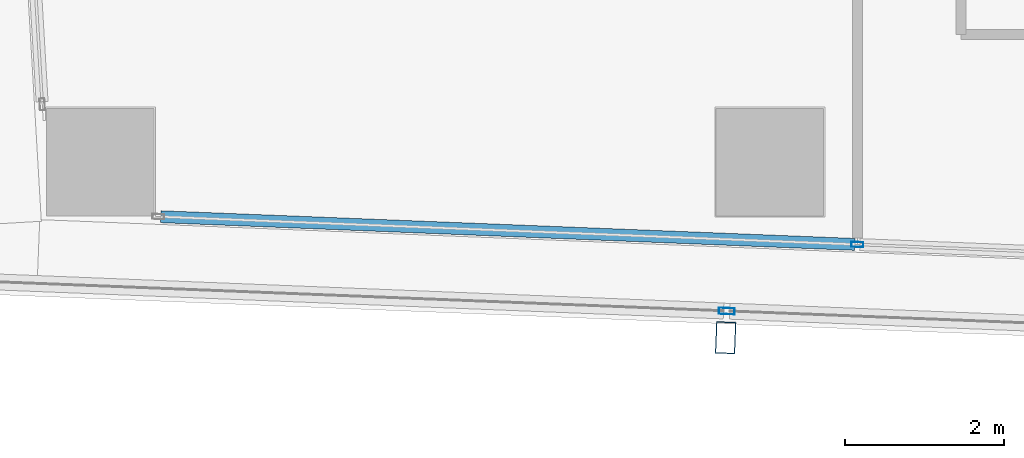
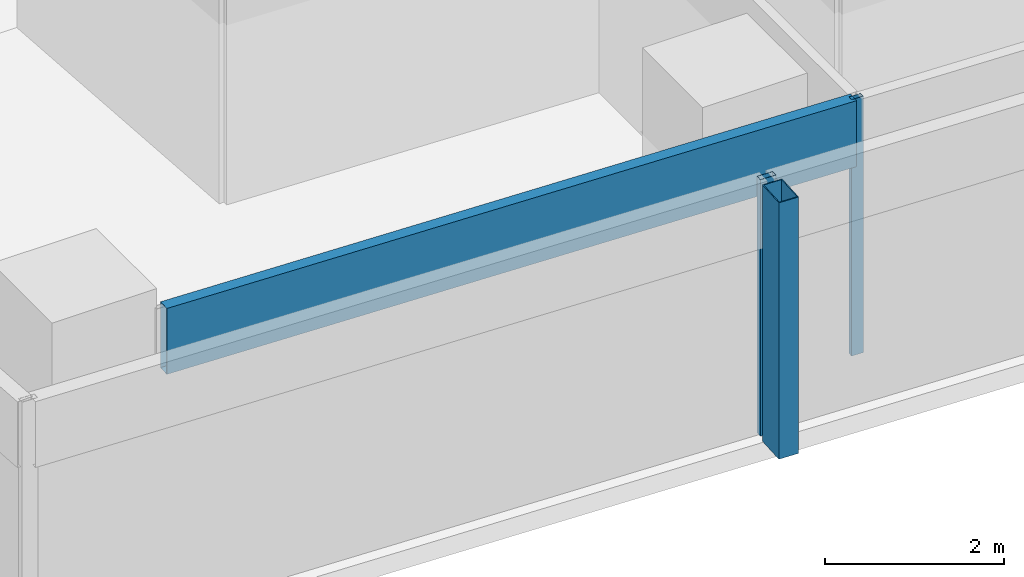
# One storey, part 3 of 40: 4 members, 2 elements without a shape of their own.
"""IFC4 building model written with IfcOpenShell, lengths in metres."""

from ifc_helpers import new_model, si_unit, direction, frame, origin, origin_2d, place, context, subcontext, project, spatial, hollow_rectangle, extrude, material, material_profile, profile_set, type_object, element, aggregate, save


model = new_model("IFC4")

# Units and contexts
model_context = context("Model", 3, precision=1e-05, world=origin(), true_north=direction((0.0, 1.0)))
body_context = subcontext(model_context, "Body", "Model", "MODEL_VIEW")
ifc_project = project(units=[si_unit("LENGTHUNIT", "METRE"), si_unit("AREAUNIT", "SQUARE_METRE"), si_unit("VOLUMEUNIT", "CUBIC_METRE"), si_unit("PLANEANGLEUNIT", "RADIAN"), si_unit("MASSUNIT", "GRAM", prefix="KILO")], contexts=[model_context])

# Site, building, storey
site_placement = place(None, origin())
site = spatial("IfcSite", under=ifc_project, at=site_placement, CompositionType="ELEMENT")
building_placement = place(site_placement, origin())
building = spatial("IfcBuilding", under=site, at=building_placement, Name="Rekha Terrace Tower", CompositionType="ELEMENT")
storey_placement = place(building_placement, frame((0.0, 0.0, 213.949951171875)))
storey = spatial("IfcBuildingStorey", under=building, at=storey_placement, Name="L54", CompositionType="ELEMENT", Elevation=213.949951171875)

# Curtain wall, member
ifc_material_1 = material(Name="Aluminium framing", Category="aluminium")
curtain_wall_type_1 = type_object("IfcCurtainWallType", Name="CW2 double skin outer glazing", PredefinedType="USERDEFINED", material=ifc_material_1)
curtain_wall_1_placement = place(storey_placement, origin())
curtain_wall_1 = element("IfcCurtainWall", 1, at=curtain_wall_1_placement, inside=storey, type_object=curtain_wall_type_1, Name="CW2 double skin outer glazing", ObjectType="DOUBLE SKIN OUTER GLAZING", PredefinedType="USERDEFINED")
ifc_material_2 = material(Name="Steel S355 with fluorocarbon finish", Category="steel")
ifc_material_profile_1 = material_profile(ifc_material_2, hollow_rectangle(XDim=0.25, YDim=0.39990234375, WallThickness=0.012451171875, at=origin_2d()), Name="RHS400x250x12.5")
ifc_profile_set_1 = profile_set([ifc_material_profile_1], Name="Steel S355 with fluorocarbon finish")
member_type_1 = type_object("IfcMemberType", Name="BL1 facade blade RHS 400 x 250", PredefinedType="USERDEFINED", material=ifc_profile_set_1)
member_1_placement = place(storey_placement, frame((16.24658203125, 14.595947265625, 0.0), z_axis=(0.0, 0.0, 1.0), x_axis=(0.999204797763, -0.039871946621, 0.0)))
member_1 = element("IfcMember", 2, at=member_1_placement, type_object=member_type_1, Name="Facade blade", ObjectType="FACADE BLADE", PredefinedType="USERDEFINED", context=body_context, shape_type="SweptSolid", body=[
    extrude(hollow_rectangle(XDim=0.25, YDim=0.39990234375, WallThickness=0.012451171875, at=origin_2d()), origin(), (0.0, 0.0, 1.0), 3.5),
])

# Curtain wall, members
curtain_wall_type_2 = type_object("IfcCurtainWallType", Name="CW1 double skin inner glazing", PredefinedType="USERDEFINED", material=ifc_material_1)
curtain_wall_2_placement = place(storey_placement, origin())
curtain_wall_2 = element("IfcCurtainWall", 3, at=curtain_wall_2_placement, inside=storey, type_object=curtain_wall_type_2, Name="CW1 double skin inner glazing", ObjectType="DOUBLE SKIN INNER GLAZING", PredefinedType="USERDEFINED")
ifc_material_3 = material(Name="Aluminium mullion section", Category="aluminium")
ifc_material_profile_2 = material_profile(ifc_material_3, hollow_rectangle(XDim=0.06494140625, YDim=0.14990234375, WallThickness=0.00390625, at=origin_2d()), Name="AL RHS 65x150")
ifc_profile_set_2 = profile_set([ifc_material_profile_2], Name="Aluminium mullion section")
member_type_2 = type_object("IfcMemberType", Name="CW1 mullion RHS 65 x 150", PredefinedType="MULLION", material=ifc_profile_set_2)
member_2_placement = place(storey_placement, frame((17.89892578125, 15.765869140625, 0.0), z_axis=(0.0, 0.0, 1.0), x_axis=(0.039872497061, 0.999204775798, 0.0)))
member_2 = element("IfcMember", 4, at=member_2_placement, type_object=member_type_2, Name="CW1 mullion 2", PredefinedType="MULLION", context=body_context, shape_type="SweptSolid", body=[
    extrude(hollow_rectangle(XDim=0.06494140625, YDim=0.14990234375, WallThickness=0.00390625, at=origin_2d()), origin(), (0.0, 0.0, 1.0), 3.5),
])
ifc_material_4 = material(Name="Insulated aluminium spandrel box", Category="aluminium")
ifc_material_profile_3 = material_profile(ifc_material_4, hollow_rectangle(XDim=0.14990234375, YDim=0.89990234375, WallThickness=0.0029296875, at=origin_2d()), Name="AL SPANDREL BOX 150x900")
ifc_profile_set_3 = profile_set([ifc_material_profile_3], Name="Insulated aluminium spandrel box")
member_type_3 = type_object("IfcMemberType", Name="CW1 spandrel transom 150 x 900", PredefinedType="USERDEFINED", material=ifc_profile_set_3)
member_3_placement = place(storey_placement, frame((9.15966796875, 16.11474609375, 3.050048828125), z_axis=(0.999204892499, -0.039869572443, 0.0), x_axis=(0.039869572443, 0.999204892499, 0.0)))
member_3 = element("IfcMember", 5, at=member_3_placement, type_object=member_type_3, Name="CW1 spandrel transom 1", ObjectType="TRANSOM", PredefinedType="USERDEFINED", context=body_context, shape_type="SweptSolid", body=[
    extrude(hollow_rectangle(XDim=0.14990234375, YDim=0.89990234375, WallThickness=0.0029296875, at=origin_2d()), origin(), (0.0, 0.0, 1.0), 8.713623046875),
])
aggregate(curtain_wall_2, [member_2, member_3])

# Member
ifc_material_profile_4 = material_profile(ifc_material_3, hollow_rectangle(XDim=0.080078125, YDim=0.199951171875, WallThickness=0.00390625, at=origin_2d()), Name="AL RHS 80x200")
ifc_profile_set_4 = profile_set([ifc_material_profile_4], Name="Aluminium mullion section")
member_type_4 = type_object("IfcMemberType", Name="CW2 mullion RHS 80 x 200", PredefinedType="MULLION", material=ifc_profile_set_4)
member_4_placement = place(storey_placement, frame((16.259765625, 14.9306640625, 0.0), z_axis=(0.0, 0.0, 1.0), x_axis=(0.039872497044, 0.999204775799, 0.0)))
member_4 = element("IfcMember", 6, at=member_4_placement, type_object=member_type_4, Name="CW2 mullion 2", PredefinedType="MULLION", context=body_context, shape_type="SweptSolid", body=[
    extrude(hollow_rectangle(XDim=0.080078125, YDim=0.199951171875, WallThickness=0.00390625, at=origin_2d()), origin(), (0.0, 0.0, 1.0), 3.5),
])

aggregate(curtain_wall_1, [member_4, member_1])

save(model, "model.ifc")
